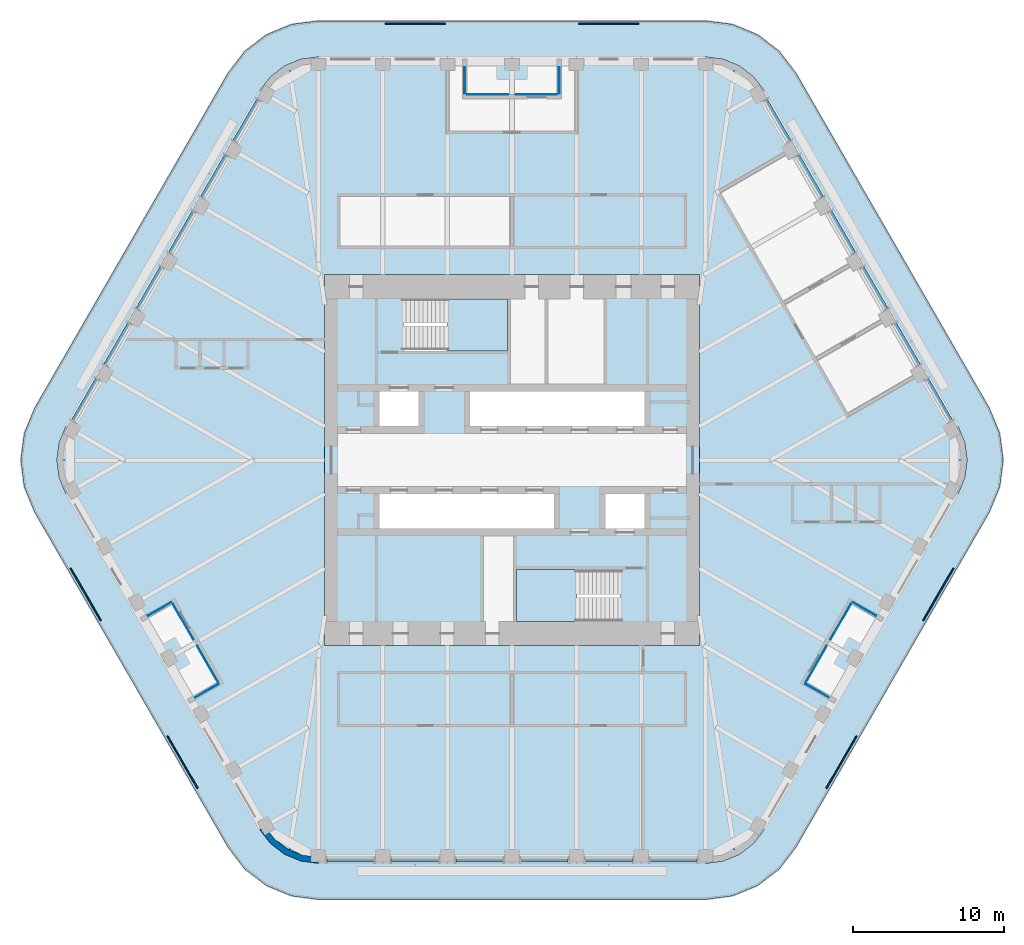
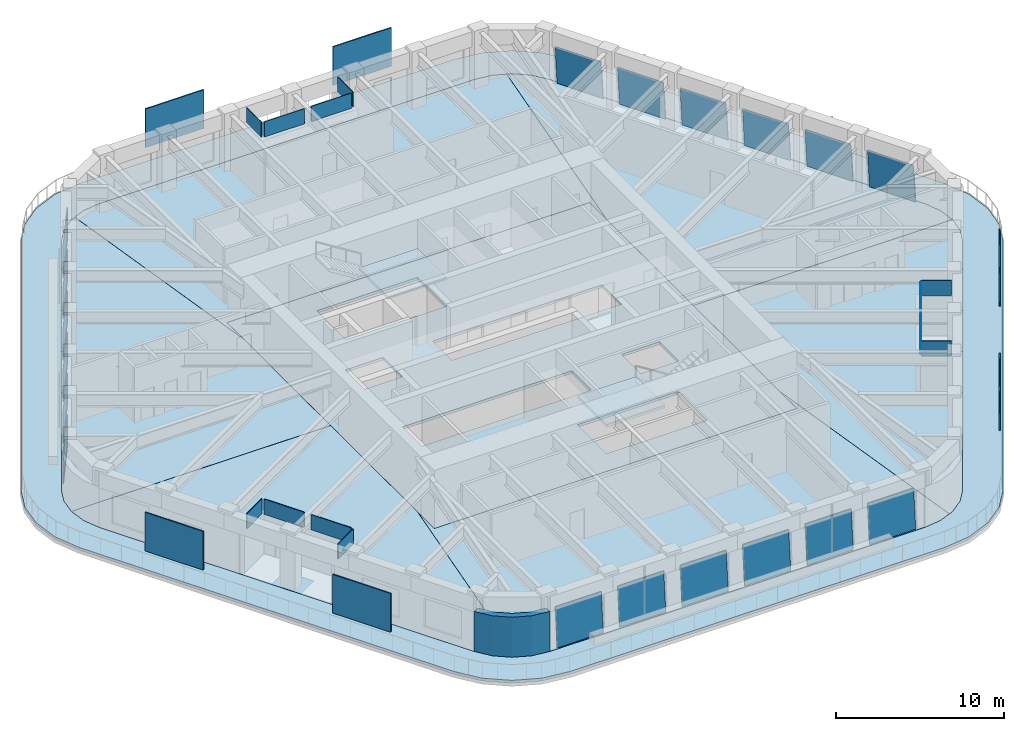
# One storey, part 12 of 19: 36 plates, 10 slabs, 1 wall, 20 elements without a shape of their own.
"""IFC4 building model written with IfcOpenShell, lengths in metres."""

import ifcopenshell
import ifcopenshell.guid

model = None  # the IFC model being written
_history = None  # IfcOwnerHistory: only IFC2X3 demands one
_inside = {}  # id of a spatial element -> (the spatial element, [elements in it])
_under = {}  # id of a project, library or spatial element -> (it, [spatial elements below it])
_declared = {}  # id of a project -> (the project, [libraries it declares])
_typed = {}  # id of a type object -> (the type object, [elements of that type])
_made_of = {}  # id of a material, layer set ... -> (it, [elements and type objects made of it])


def new_model(schema):
    """Start an empty IFC model of exactly this schema.

    Asked for "IFC4X3", IfcOpenShell would pick the latest addendum, in which some entities
    have other attributes; the version numbers below select the first issue.
    IFC2X3 requires an IfcOwnerHistory on every rooted entity: one is made here for all.
    """
    global model, _history
    if schema == "IFC4X3":
        model = ifcopenshell.file(schema_version=(4, 3, 0, 0))
    else:
        model = ifcopenshell.file(schema=schema)
    _inside.clear()
    _under.clear()
    _declared.clear()
    _typed.clear()
    _made_of.clear()
    _history = None
    if model.schema == "IFC2X3":
        org = make("IfcOrganization", Name="unknown")
        user = make(
            "IfcPersonAndOrganization",
            ThePerson=make("IfcPerson", FamilyName="unknown"),
            TheOrganization=org,
        )
        app = make(
            "IfcApplication",
            ApplicationDeveloper=org,
            Version="unknown",
            ApplicationFullName="unknown",
            ApplicationIdentifier="unknown",
        )
        _history = make(
            "IfcOwnerHistory",
            OwningUser=user,
            OwningApplication=app,
            ChangeAction="ADDED",
            CreationDate=0,
        )
    return model


def make(cls, **values):
    """One entity of the class cls with the attributes given. An attribute that is None is left unset."""
    return model.create_entity(
        cls, **{name: value for name, value in values.items() if value is not None}
    )


def rooted(cls, **values):
    """An entity with a GlobalId (a new one), such as an element, a storey or a relation."""
    return make(cls, GlobalId=ifcopenshell.guid.new(), OwnerHistory=_history, **values)


def si_unit(unit_type, name, prefix=None):
    """IfcSIUnit, for example si_unit("LENGTHUNIT", "METRE", prefix="MILLI")."""
    return make("IfcSIUnit", UnitType=unit_type, Prefix=prefix, Name=name)


def assignment(units):
    """IfcUnitAssignment: the units of a project."""
    return None if units is None else make("IfcUnitAssignment", Units=units)


def point(xyz):
    """IfcCartesianPoint."""
    return None if xyz is None else make("IfcCartesianPoint", Coordinates=xyz)


def direction(xyz):
    """IfcDirection."""
    return None if xyz is None else make("IfcDirection", DirectionRatios=xyz)


def frame(location, z_axis=None, x_axis=None):
    """IfcAxis2Placement3D, a coordinate frame: its origin and axes. An axis left out is left unset."""
    return make(
        "IfcAxis2Placement3D",
        Location=point(location),
        Axis=direction(z_axis),
        RefDirection=direction(x_axis),
    )


def frame_2d(location, x_axis=None):
    """IfcAxis2Placement2D, a coordinate frame in the plane: its origin and x axis."""
    return make(
        "IfcAxis2Placement2D", Location=point(location), RefDirection=direction(x_axis)
    )


def origin():
    """The frame at (0, 0, 0) with its axes left unset."""
    return frame((0.0, 0.0, 0.0))


def origin_2d():
    """The frame at (0, 0) in the plane with its x axis left unset."""
    return frame_2d((0.0, 0.0))


def place(relative_to, where):
    """IfcLocalPlacement: puts the frame where relative to a parent placement (None: the world)."""
    return make(
        "IfcLocalPlacement", PlacementRelTo=relative_to, RelativePlacement=where
    )


def context(
    kind, dimensions, precision=None, world=None, true_north=None, identifier=None
):
    """IfcGeometricRepresentationContext, for example the 3D "Model" context."""
    return make(
        "IfcGeometricRepresentationContext",
        ContextIdentifier=identifier,
        ContextType=kind,
        CoordinateSpaceDimension=dimensions,
        Precision=precision,
        WorldCoordinateSystem=world,
        TrueNorth=true_north,
    )


def subcontext(parent, identifier, kind, view, scale=None):
    """IfcGeometricRepresentationSubContext, for example "Body" below "Model"."""
    return make(
        "IfcGeometricRepresentationSubContext",
        ContextIdentifier=identifier,
        ContextType=kind,
        ParentContext=parent,
        TargetScale=scale,
        TargetView=view,
    )


def project(units=None, contexts=None):
    """IfcProject with its units and contexts."""
    return rooted(
        "IfcProject",
        Name="project",
        RepresentationContexts=contexts,
        UnitsInContext=assignment(units),
    )


def spatial(cls, under=None, at=None, **own):
    """A site, building, storey or space (cls), placed at a placement, below another one or the project."""
    s = rooted(cls, ObjectPlacement=at, **own)
    if under is not None:
        _under.setdefault(under.id(), (under, []))[1].append(s)
    return s


def polyline(points):
    """IfcPolyline through the points."""
    return make("IfcPolyline", Points=[point(p) for p in points])


def profile(cls, at=None, kind="AREA", **sizes):
    """A parametric profile (cls). Its sizes go by their IFC names, for example OverallWidth=200.0."""
    return make(cls, ProfileType=kind, Position=at, **sizes)


def rectangle(**sizes):
    """IfcRectangleProfileDef."""
    return profile("IfcRectangleProfileDef", **sizes)


def outline(outer, holes=None, kind="AREA"):
    """IfcArbitraryClosedProfileDef: a profile drawn as a closed curve; with holes, ...WithVoids."""
    if holes is None:
        return make("IfcArbitraryClosedProfileDef", ProfileType=kind, OuterCurve=outer)
    return make(
        "IfcArbitraryProfileDefWithVoids",
        ProfileType=kind,
        OuterCurve=outer,
        InnerCurves=holes,
    )


def extrude(swept, where, along, depth):
    """IfcExtrudedAreaSolid: the profile swept, set in the frame where, extruded along a direction by depth."""
    return make(
        "IfcExtrudedAreaSolid",
        SweptArea=swept,
        Position=where,
        ExtrudedDirection=direction(along),
        Depth=depth,
    )


def shape(context_of_items, identifier, shape_type, items):
    """IfcShapeRepresentation: the items that make up one representation, for example the "Body"."""
    return make(
        "IfcShapeRepresentation",
        ContextOfItems=context_of_items,
        RepresentationIdentifier=identifier,
        RepresentationType=shape_type,
        Items=items,
    )


def material(Name=None, Category=None):
    """IfcMaterial."""
    return make("IfcMaterial", Name=Name, Category=Category)


def layer(
    of_material, thickness, ventilated=None, Name=None, Category=None, Priority=None
):
    """IfcMaterialLayer: one layer of a wall or slab, of a material (None: an air gap)."""
    return make(
        "IfcMaterialLayer",
        Material=of_material,
        LayerThickness=thickness,
        IsVentilated=ventilated,
        Name=Name,
        Category=Category,
        Priority=Priority,
    )


def layer_set(layers, Name=None):
    """IfcMaterialLayerSet."""
    return make("IfcMaterialLayerSet", MaterialLayers=layers, LayerSetName=Name)


def made_of(thing, what):
    """Note that an element or type object is made of a material, layer set ...; save() writes the relation."""
    if what is not None:
        _made_of.setdefault(what.id(), (what, []))[1].append(thing)
    return thing


def type_object(cls, material=None, **own):
    """A type object (cls), such as IfcWallType, which elements share."""
    return made_of(rooted(cls, **own), material)


def element(
    cls,
    number,
    at=None,
    inside=None,
    cuts=None,
    type_object=None,
    material=None,
    context=None,
    identifier="Body",
    shape_type=None,
    held_by="IfcProductDefinitionShape",
    body=None,
    shapes=None,
    **own,
):
    """One element of the class cls, such as IfcWall. Its Tag is "e" and its number.

    at: its placement. inside: the storey or other place that contains it. cuts: it is an
    opening in that element (IfcRelVoidsElement). A single representation is given by context,
    identifier, shape_type and body (its items); several are given by shapes. held_by: the class
    of the entity that holds the representations. save() writes the other relations.
    """
    e = rooted(cls, Tag="e%d" % number, ObjectPlacement=at, **own)
    if body is not None:
        shapes = [shape(context, identifier, shape_type, body)]
    if shapes is not None:
        e.Representation = make(held_by, Representations=shapes)
    if inside is not None:
        _inside.setdefault(inside.id(), (inside, []))[1].append(e)
    if cuts is not None:
        rooted(
            "IfcRelVoidsElement", RelatingBuildingElement=cuts, RelatedOpeningElement=e
        )
    if type_object is not None:
        _typed.setdefault(type_object.id(), (type_object, []))[1].append(e)
    return made_of(e, material)


def aggregate(whole, parts):
    """IfcRelAggregates: a whole, such as a stair, and the parts it consists of."""
    return rooted("IfcRelAggregates", RelatingObject=whole, RelatedObjects=parts)


def save(model, path):
    """Write the relations noted so far, then the file.

    IfcRelAggregates (storeys below a building ...), IfcRelContainedInSpatialStructure (elements
    in a storey), IfcRelDefinesByType, IfcRelAssociatesMaterial and IfcRelDeclares: one each for
    every whole, place, type object, material and project.
    """
    for whole, parts in _under.values():
        aggregate(whole, parts)
    for where, things in _inside.values():
        rooted(
            "IfcRelContainedInSpatialStructure",
            RelatedElements=things,
            RelatingStructure=where,
        )
    for kind, things in _typed.values():
        rooted("IfcRelDefinesByType", RelatedObjects=things, RelatingType=kind)
    for what, things in _made_of.values():
        rooted("IfcRelAssociatesMaterial", RelatedObjects=things, RelatingMaterial=what)
    for by, libraries in _declared.values():
        rooted("IfcRelDeclares", RelatingContext=by, RelatedDefinitions=libraries)
    model.write(path)


model = new_model("IFC4")

# Units and contexts
model_context = context("Model", 3, precision=1e-05, world=origin(), true_north=direction((0.0, 1.0)))
body_context = subcontext(model_context, "Body", "Model", "MODEL_VIEW")
ifc_project = project(units=[si_unit("LENGTHUNIT", "METRE"), si_unit("AREAUNIT", "SQUARE_METRE"), si_unit("VOLUMEUNIT", "CUBIC_METRE"), si_unit("PLANEANGLEUNIT", "RADIAN"), si_unit("MASSUNIT", "GRAM", prefix="KILO")], contexts=[model_context])

# Site, building, storey
site_placement = place(None, origin())
site = spatial("IfcSite", under=ifc_project, at=site_placement, CompositionType="ELEMENT")
building_placement = place(site_placement, origin())
building = spatial("IfcBuilding", under=site, at=building_placement, Name="Tarfa Lantern Tower", CompositionType="ELEMENT")
storey_placement = place(building_placement, frame((0.0, 0.0, 340.89990234375)))
storey = spatial("IfcBuildingStorey", under=building, at=storey_placement, Name="L77", CompositionType="ELEMENT", Elevation=340.89990234375)

# Slab
ifc_material_1 = material(Name="Concrete C40/50", Category="concrete")
ifc_layer_1 = layer(ifc_material_1, 0.199951171875)
ifc_layer_set_1 = layer_set([ifc_layer_1], Name="BS2 BALCONY SLAB 200")
slab_type_1 = type_object("IfcSlabType", Name="BS2 BALCONY SLAB 200", PredefinedType="FLOOR", material=ifc_layer_set_1)
slab_1_placement = place(storey_placement, frame((0.0, 0.0, -0.199951171875)))
element("IfcSlab", 1, at=slab_1_placement, inside=storey, type_object=slab_type_1, Name="Balcony L77", PredefinedType="FLOOR", context=body_context, shape_type="SweptSolid", body=[
    extrude(outline(polyline([(31.667724609375, 3.449951171875), (18.821533203125, 25.699951171875), (17.72509765625, 27.129150390625), (16.296142578125, 28.2255859375), (14.6318359375, 28.914794921875), (12.845947265625, 29.14990234375), (-12.845947265625, 29.14990234375), (-14.6318359375, 28.914794921875), (-16.296142578125, 28.2255859375), (-17.72509765625, 27.129150390625), (-18.821533203125, 25.699951171875), (-31.667724609375, 3.449951171875), (-32.35693359375, 1.785888671875), (-32.592041015625, 0.0), (-32.35693359375, -1.785888671875), (-31.667724609375, -3.449951171875), (-18.821533203125, -25.699951171875), (-17.72509765625, -27.129150390625), (-16.296142578125, -28.2255859375), (-14.6318359375, -28.914794921875), (-12.845947265625, -29.14990234375), (12.845947265625, -29.14990234375), (14.6318359375, -28.914794921875), (16.296142578125, -28.2255859375), (17.72509765625, -27.129150390625), (18.821533203125, -25.699951171875), (31.667724609375, -3.449951171875), (32.35693359375, -1.785888671875), (32.592041015625, 0.0), (32.35693359375, 1.785888671875), (31.667724609375, 3.449951171875)]), holes=[polyline([(29.589111328125, 2.25), (16.7431640625, 24.5), (16.028076171875, 25.431884765625), (15.095947265625, 26.147216796875), (14.0107421875, 26.5966796875), (12.845947265625, 26.75), (-12.845947265625, 26.75), (-14.0107421875, 26.5966796875), (-15.095947265625, 26.147216796875), (-16.028076171875, 25.431884765625), (-16.7431640625, 24.5), (-29.589111328125, 2.25), (-30.038818359375, 1.164794921875), (-30.192138671875, 0.0), (-30.038818359375, -1.164794921875), (-29.589111328125, -2.25), (-16.7431640625, -24.5), (-16.028076171875, -25.431884765625), (-15.095947265625, -26.147216796875), (-14.0107421875, -26.5966796875), (-12.845947265625, -26.75), (12.845947265625, -26.75), (14.0107421875, -26.5966796875), (15.095947265625, -26.147216796875), (16.028076171875, -25.431884765625), (16.7431640625, -24.5), (29.589111328125, -2.25), (30.038818359375, -1.164794921875), (30.192138671875, 0.0), (30.038818359375, 1.164794921875), (29.589111328125, 2.25)])]), origin(), (0.0, 0.0, 1.0), 0.199951171875),
])

# Curtain wall, plate
ifc_material_2 = material(Name="Aluminium framed curtain wall", Category="aluminium")
curtain_wall_type = type_object("IfcCurtainWallType", Name="CW4 CANTED GLAZING EXECUTIVE ZONE 2900", PredefinedType="USERDEFINED", material=ifc_material_2)
curtain_wall_1_placement = place(storey_placement, origin())
curtain_wall_1 = element("IfcCurtainWall", 2, at=curtain_wall_1_placement, inside=storey, type_object=curtain_wall_type, Name="CW4 NE L77", ObjectType="CURTAIN WALL", PredefinedType="USERDEFINED")
ifc_material_3 = material(Name="Laminated double glazing", Category="glass")
ifc_layer_2 = layer(ifc_material_3, 0.028076171875)
ifc_layer_set_2 = layer_set([ifc_layer_2], Name="CWP1 DOUBLE GLAZED PANEL")
plate_type_1 = type_object("IfcPlateType", Name="CWP1 DOUBLE GLAZED PANEL", PredefinedType="CURTAIN_PANEL", material=ifc_layer_set_2)
plate_1_placement = place(storey_placement, frame((29.22021484375, 2.689208984375, 0.0), z_axis=(0.862805390852, 0.498190824018, 0.085864779633), x_axis=(-0.500037562771, 0.866003715822, 0.0)))
plate_1 = element("IfcPlate", 3, at=plate_1_placement, type_object=plate_type_1, Name="CW4 panel 1.1", PredefinedType="CURTAIN_PANEL", context=body_context, shape_type="SweptSolid", body=[
    extrude(outline(polyline([(0.0, 0.0), (3.1521069462545803, 0.0), (3.1522365138844113, 2.845714872445663), (0.00012956762983128145, 2.845714872445663), (0.0, 0.0)])), origin(), (0.0, 0.0, -1.0), 0.028076171875),
])
aggregate(curtain_wall_1, [plate_1])

curtain_wall_2_placement = place(storey_placement, origin())
curtain_wall_2 = element("IfcCurtainWall", 4, at=curtain_wall_2_placement, inside=storey, type_object=curtain_wall_type, Name="CW4 NE L77", ObjectType="CURTAIN WALL", PredefinedType="USERDEFINED")
plate_2_placement = place(storey_placement, frame((27.0791015625, 6.397705078125, 0.0), z_axis=(0.862835627287, 0.498131112972, 0.085907360411), x_axis=(-0.499979472441, 0.866037255052, 0.0)))
plate_2 = element("IfcPlate", 5, at=plate_2_placement, type_object=plate_type_1, Name="CW4 panel 1.1", PredefinedType="CURTAIN_PANEL", context=body_context, shape_type="SweptSolid", body=[
    extrude(outline(polyline([(0.0, 0.0), (3.1519848738624487, 1.3877787807814457e-17), (3.151886616495537, 2.845725356853875), (-9.82573669122272e-05, 2.845725356853875), (0.0, 0.0)])), origin(), (0.0, 0.0, -1.0), 0.028076171875),
])
aggregate(curtain_wall_2, [plate_2])

curtain_wall_3_placement = place(storey_placement, origin())
curtain_wall_3 = element("IfcCurtainWall", 6, at=curtain_wall_3_placement, inside=storey, type_object=curtain_wall_type, Name="CW4 NE L77", ObjectType="CURTAIN WALL", PredefinedType="USERDEFINED")
plate_3_placement = place(storey_placement, frame((24.93798828125, 10.10595703125, 0.0), z_axis=(0.862827570907, 0.498148738447, 0.085886071435), x_axis=(-0.499996118499, 0.866027644757, -1.656944e-06)))
plate_3 = element("IfcPlate", 7, at=plate_3_placement, type_object=plate_type_1, Name="CW4 panel 1.1", PredefinedType="CURTAIN_PANEL", context=body_context, shape_type="SweptSolid", body=[
    extrude(outline(polyline([(0.0, 0.0), (3.1519848732758735, 1.3877787807814457e-17), (3.151886617082094, 2.845725356204212), (0.00011317633667908362, 2.8457148724950585), (0.0, 0.0)])), origin(), (0.0, 0.0, -1.0), 0.028076171875),
])
aggregate(curtain_wall_3, [plate_3])

curtain_wall_4_placement = place(storey_placement, origin())
curtain_wall_4 = element("IfcCurtainWall", 8, at=curtain_wall_4_placement, inside=storey, type_object=curtain_wall_type, Name="CW4 NE L77", ObjectType="CURTAIN WALL", PredefinedType="USERDEFINED")
plate_4_placement = place(storey_placement, frame((22.797119140625, 13.814208984375, 0.0), z_axis=(0.862838806003, 0.498132948104, 0.085864782473), x_axis=(-0.499979472441, 0.866037255052, 0.0)))
plate_4 = element("IfcPlate", 9, at=plate_4_placement, type_object=plate_type_1, Name="CW4 panel 1.1", PredefinedType="CURTAIN_PANEL", context=body_context, shape_type="SweptSolid", body=[
    extrude(outline(polyline([(0.0, 0.0), (3.1519848738624487, -2.7755575615628914e-17), (3.1520980513722585, 2.8457148731447175), (0.00011317750980942287, 2.8457148731447175), (0.0, 0.0)])), origin(), (0.0, 0.0, -1.0), 0.028076171875),
])
aggregate(curtain_wall_4, [plate_4])

curtain_wall_5_placement = place(storey_placement, origin())
curtain_wall_5 = element("IfcCurtainWall", 10, at=curtain_wall_5_placement, inside=storey, type_object=curtain_wall_type, Name="CW4 NE L77", ObjectType="CURTAIN WALL", PredefinedType="USERDEFINED")
plate_5_placement = place(storey_placement, frame((20.656005859375, 17.522705078125, 0.0), z_axis=(0.862835627287, 0.498131112972, 0.085907360411), x_axis=(-0.499979472441, 0.866037255052, 0.0)))
plate_5 = element("IfcPlate", 11, at=plate_5_placement, type_object=plate_type_1, Name="CW4 panel 1.1", PredefinedType="CURTAIN_PANEL", context=body_context, shape_type="SweptSolid", body=[
    extrude(outline(polyline([(0.0, 0.0), (3.1519848738624487, 1.3877787807814457e-17), (3.151886616495537, 2.845725356853875), (-9.82573669122272e-05, 2.845725356853875), (0.0, 0.0)])), origin(), (0.0, 0.0, -1.0), 0.028076171875),
])
aggregate(curtain_wall_5, [plate_5])

curtain_wall_6_placement = place(storey_placement, origin())
curtain_wall_6 = element("IfcCurtainWall", 12, at=curtain_wall_6_placement, inside=storey, type_object=curtain_wall_type, Name="CW4 NE L77", ObjectType="CURTAIN WALL", PredefinedType="USERDEFINED")
plate_6_placement = place(storey_placement, frame((18.51513671875, 21.23095703125, 0.0), z_axis=(0.862794153774, 0.498206614799, 0.085886070957), x_axis=(-0.500054209474, 0.865994103666, -1.657072e-06)))
plate_6 = element("IfcPlate", 13, at=plate_6_placement, type_object=plate_type_1, Name="CW4 panel 1.1", PredefinedType="CURTAIN_PANEL", context=body_context, shape_type="SweptSolid", body=[
    extrude(outline(polyline([(0.0, 0.0), (3.1521069456678905, 2.7755575615628914e-17), (3.1520250877826523, 2.8457253567230087), (0.00012956645647684277, 2.845714871795859), (0.0, 0.0)])), origin(), (0.0, 0.0, -1.0), 0.028076171875),
])
aggregate(curtain_wall_6, [plate_6])

curtain_wall_7_placement = place(storey_placement, origin())
curtain_wall_7 = element("IfcCurtainWall", 14, at=curtain_wall_7_placement, inside=storey, type_object=curtain_wall_type, Name="CW4 NW L77", ObjectType="CURTAIN WALL", PredefinedType="USERDEFINED")
plate_7_placement = place(storey_placement, frame((-16.93896484375, 23.960693359375, 0.0), z_axis=(-0.862794153774, 0.498206614799, 0.085886070957), x_axis=(-0.500054209474, -0.865994103666, 1.657072e-06)))
plate_7 = element("IfcPlate", 15, at=plate_7_placement, type_object=plate_type_1, Name="CW4 panel 1.1", PredefinedType="CURTAIN_PANEL", context=body_context, shape_type="SweptSolid", body=[
    extrude(outline(polyline([(0.0, 0.0), (3.1521069456678905, -2.7755575615628914e-17), (3.151977379211414, 2.845714871795859), (8.185788523850941e-05, 2.8457253567230087), (0.0, 0.0)])), origin(), (0.0, 0.0, -1.0), 0.028076171875),
])
aggregate(curtain_wall_7, [plate_7])

curtain_wall_8_placement = place(storey_placement, origin())
curtain_wall_8 = element("IfcCurtainWall", 16, at=curtain_wall_8_placement, inside=storey, type_object=curtain_wall_type, Name="CW4 NW L77", ObjectType="CURTAIN WALL", PredefinedType="USERDEFINED")
plate_8_placement = place(storey_placement, frame((-19.080078125, 20.25244140625, 0.0), z_axis=(-0.862835627287, 0.498131112972, 0.085907360411), x_axis=(-0.499979472441, -0.866037255052, 0.0)))
plate_8 = element("IfcPlate", 17, at=plate_8_placement, type_object=plate_type_1, Name="CW4 panel 1.1", PredefinedType="CURTAIN_PANEL", context=body_context, shape_type="SweptSolid", body=[
    extrude(outline(polyline([(0.0, 0.0), (3.1519848738624487, -1.3877787807814457e-17), (3.1520831312293613, 2.845725356853875), (9.82573669122272e-05, 2.845725356853875), (0.0, 0.0)])), origin(), (0.0, 0.0, -1.0), 0.028076171875),
])
aggregate(curtain_wall_8, [plate_8])

curtain_wall_9_placement = place(storey_placement, origin())
curtain_wall_9 = element("IfcCurtainWall", 18, at=curtain_wall_9_placement, inside=storey, type_object=curtain_wall_type, Name="CW4 NW L77", ObjectType="CURTAIN WALL", PredefinedType="USERDEFINED")
plate_9_placement = place(storey_placement, frame((-21.22119140625, 16.5439453125, 0.0), z_axis=(-0.862838806003, 0.498132948104, 0.085864782473), x_axis=(-0.499979472441, -0.866037255052, 0.0)))
plate_9 = element("IfcPlate", 19, at=plate_9_placement, type_object=plate_type_1, Name="CW4 panel 1.1", PredefinedType="CURTAIN_PANEL", context=body_context, shape_type="SweptSolid", body=[
    extrude(outline(polyline([(0.0, 0.0), (3.1519848738624487, 2.7755575615628914e-17), (3.15187169635264, 2.8457148731447175), (-0.00011317750980942287, 2.8457148731447175), (0.0, 0.0)])), origin(), (0.0, 0.0, -1.0), 0.028076171875),
])
aggregate(curtain_wall_9, [plate_9])

curtain_wall_10_placement = place(storey_placement, origin())
curtain_wall_10 = element("IfcCurtainWall", 20, at=curtain_wall_10_placement, inside=storey, type_object=curtain_wall_type, Name="CW4 NW L77", ObjectType="CURTAIN WALL", PredefinedType="USERDEFINED")
plate_10_placement = place(storey_placement, frame((-23.362060546875, 12.835693359375, 0.0), z_axis=(-0.862827570907, 0.498148738447, 0.085886071435), x_axis=(-0.499996118499, -0.866027644757, 1.656944e-06)))
plate_10 = element("IfcPlate", 21, at=plate_10_placement, type_object=plate_type_1, Name="CW4 panel 1.1", PredefinedType="CURTAIN_PANEL", context=body_context, shape_type="SweptSolid", body=[
    extrude(outline(polyline([(0.0, 0.0), (3.1519848732758735, -1.3877787807814457e-17), (3.1518716969391942, 2.8457148724950585), (9.825619377914678e-05, 2.845725356204212), (0.0, 0.0)])), origin(), (0.0, 0.0, -1.0), 0.028076171875),
])
aggregate(curtain_wall_10, [plate_10])

curtain_wall_11_placement = place(storey_placement, origin())
curtain_wall_11 = element("IfcCurtainWall", 22, at=curtain_wall_11_placement, inside=storey, type_object=curtain_wall_type, Name="CW4 NW L77", ObjectType="CURTAIN WALL", PredefinedType="USERDEFINED")
plate_11_placement = place(storey_placement, frame((-25.503173828125, 9.12744140625, 0.0), z_axis=(-0.862835627287, 0.498131112972, 0.085907360411), x_axis=(-0.499979472441, -0.866037255052, 0.0)))
plate_11 = element("IfcPlate", 23, at=plate_11_placement, type_object=plate_type_1, Name="CW4 panel 1.1", PredefinedType="CURTAIN_PANEL", context=body_context, shape_type="SweptSolid", body=[
    extrude(outline(polyline([(0.0, 0.0), (3.1519848738624487, -1.3877787807814457e-17), (3.1520831312293613, 2.845725356853875), (9.82573669122272e-05, 2.845725356853875), (0.0, 0.0)])), origin(), (0.0, 0.0, -1.0), 0.028076171875),
])
aggregate(curtain_wall_11, [plate_11])

curtain_wall_12_placement = place(storey_placement, origin())
curtain_wall_12 = element("IfcCurtainWall", 24, at=curtain_wall_12_placement, inside=storey, type_object=curtain_wall_type, Name="CW4 NW L77", ObjectType="CURTAIN WALL", PredefinedType="USERDEFINED")
plate_12_placement = place(storey_placement, frame((-27.64404296875, 5.4189453125, 0.0), z_axis=(-0.862805390852, 0.498190824018, 0.085864779633), x_axis=(-0.500037562771, -0.866003715822, 0.0)))
plate_12 = element("IfcPlate", 25, at=plate_12_placement, type_object=plate_type_1, Name="CW4 panel 1.1", PredefinedType="CURTAIN_PANEL", context=body_context, shape_type="SweptSolid", body=[
    extrude(outline(polyline([(0.0, 0.0), (3.1521069462545803, 0.0), (3.151977378624749, 2.845714872445663), (-0.00012956762983128145, 2.845714872445663), (0.0, 0.0)])), origin(), (0.0, 0.0, -1.0), 0.028076171875),
])
aggregate(curtain_wall_12, [plate_12])

curtain_wall_13_placement = place(storey_placement, origin())
curtain_wall_13 = element("IfcCurtainWall", 26, at=curtain_wall_13_placement, inside=storey, type_object=curtain_wall_type, Name="CW4 S L77", ObjectType="CURTAIN WALL", PredefinedType="USERDEFINED")
plate_13_placement = place(storey_placement, frame((-12.281005859375, -26.64990234375, 0.0), z_axis=(0.0, -0.996305654944, 0.08587806429), x_axis=(1.0, 0.0, 0.0)))
plate_13 = element("IfcPlate", 27, at=plate_13_placement, type_object=plate_type_1, Name="CW4 panel 1.1", PredefinedType="CURTAIN_PANEL", context=body_context, shape_type="SweptSolid", body=[
    extrude(outline(polyline([(0.0, 0.0), (3.15185546875, 0.0), (3.15185546875, 2.845718142876306), (0.0, 2.845718142876306), (0.0, 0.0)])), origin(), (0.0, 0.0, -1.0), 0.028076171875),
])
aggregate(curtain_wall_13, [plate_13])

curtain_wall_14_placement = place(storey_placement, origin())
curtain_wall_14 = element("IfcCurtainWall", 28, at=curtain_wall_14_placement, inside=storey, type_object=curtain_wall_type, Name="CW4 S L77", ObjectType="CURTAIN WALL", PredefinedType="USERDEFINED")
plate_14_placement = place(storey_placement, frame((-7.9990234375, -26.64990234375, 0.0), z_axis=(0.0, -0.996305654944, 0.08587806429), x_axis=(1.0, 0.0, 0.0)))
plate_14 = element("IfcPlate", 29, at=plate_14_placement, type_object=plate_type_1, Name="CW4 panel 1.1", PredefinedType="CURTAIN_PANEL", context=body_context, shape_type="SweptSolid", body=[
    extrude(outline(polyline([(0.0, 0.0), (3.152099609375, 0.0), (3.152099609375, 2.845718142876306), (0.0, 2.845718142876306), (0.0, 0.0)])), origin(), (0.0, 0.0, -1.0), 0.028076171875),
])
aggregate(curtain_wall_14, [plate_14])

curtain_wall_15_placement = place(storey_placement, origin())
curtain_wall_15 = element("IfcCurtainWall", 30, at=curtain_wall_15_placement, inside=storey, type_object=curtain_wall_type, Name="CW4 S L77", ObjectType="CURTAIN WALL", PredefinedType="USERDEFINED")
plate_15_placement = place(storey_placement, frame((-3.717041015625, -26.64990234375, 0.0), z_axis=(0.0, -0.996305654944, 0.08587806429), x_axis=(1.0, 0.0, 0.0)))
plate_15 = element("IfcPlate", 31, at=plate_15_placement, type_object=plate_type_1, Name="CW4 panel 1.1", PredefinedType="CURTAIN_PANEL", context=body_context, shape_type="SweptSolid", body=[
    extrude(outline(polyline([(0.0, 0.0), (3.152099609375, 0.0), (3.152099609375, 2.845718142876306), (0.0, 2.845718142876306), (0.0, 0.0)])), origin(), (0.0, 0.0, -1.0), 0.028076171875),
])
aggregate(curtain_wall_15, [plate_15])

curtain_wall_16_placement = place(storey_placement, origin())
curtain_wall_16 = element("IfcCurtainWall", 32, at=curtain_wall_16_placement, inside=storey, type_object=curtain_wall_type, Name="CW4 S L77", ObjectType="CURTAIN WALL", PredefinedType="USERDEFINED")
plate_16_placement = place(storey_placement, frame((0.56494140625, -26.64990234375, 0.0), z_axis=(0.0, -0.996305654944, 0.08587806429), x_axis=(1.0, 0.0, 0.0)))
plate_16 = element("IfcPlate", 33, at=plate_16_placement, type_object=plate_type_1, Name="CW4 panel 1.1", PredefinedType="CURTAIN_PANEL", context=body_context, shape_type="SweptSolid", body=[
    extrude(outline(polyline([(0.0, 0.0), (3.152099609375, 0.0), (3.152099609375, 2.845718142876306), (0.0, 2.845718142876306), (0.0, 0.0)])), origin(), (0.0, 0.0, -1.0), 0.028076171875),
])
aggregate(curtain_wall_16, [plate_16])

curtain_wall_17_placement = place(storey_placement, origin())
curtain_wall_17 = element("IfcCurtainWall", 34, at=curtain_wall_17_placement, inside=storey, type_object=curtain_wall_type, Name="CW4 S L77", ObjectType="CURTAIN WALL", PredefinedType="USERDEFINED")
plate_17_placement = place(storey_placement, frame((4.846923828125, -26.64990234375, 0.0), z_axis=(0.0, -0.996305654944, 0.08587806429), x_axis=(1.0, 0.0, 0.0)))
plate_17 = element("IfcPlate", 35, at=plate_17_placement, type_object=plate_type_1, Name="CW4 panel 1.1", PredefinedType="CURTAIN_PANEL", context=body_context, shape_type="SweptSolid", body=[
    extrude(outline(polyline([(0.0, 0.0), (3.152099609375, 0.0), (3.152099609375, 2.845718142876306), (0.0, 2.845718142876306), (0.0, 0.0)])), origin(), (0.0, 0.0, -1.0), 0.028076171875),
])
aggregate(curtain_wall_17, [plate_17])

curtain_wall_18_placement = place(storey_placement, origin())
curtain_wall_18 = element("IfcCurtainWall", 36, at=curtain_wall_18_placement, inside=storey, type_object=curtain_wall_type, Name="CW4 S L77", ObjectType="CURTAIN WALL", PredefinedType="USERDEFINED")
plate_18_placement = place(storey_placement, frame((9.129150390625, -26.64990234375, 0.0), z_axis=(0.0, -0.996305654944, 0.08587806429), x_axis=(1.0, 0.0, 0.0)))
plate_18 = element("IfcPlate", 37, at=plate_18_placement, type_object=plate_type_1, Name="CW4 panel 1.1", PredefinedType="CURTAIN_PANEL", context=body_context, shape_type="SweptSolid", body=[
    extrude(outline(polyline([(0.0, 0.0), (3.15185546875, 0.0), (3.15185546875, 2.845718142876306), (0.0, 2.845718142876306), (0.0, 0.0)])), origin(), (0.0, 0.0, -1.0), 0.028076171875),
])
aggregate(curtain_wall_18, [plate_18])

# Slabs
ifc_layer_3 = layer(ifc_material_1, 0.199951171875)
ifc_layer_set_3 = layer_set([ifc_layer_3], Name="FS1 FLOOR SLAB 200")
slab_type_2 = type_object("IfcSlabType", Name="FS1 FLOOR SLAB 200", PredefinedType="FLOOR", material=ifc_layer_set_3)
slab_2_placement = place(storey_placement, frame((0.0, 0.0, -0.199951171875)))
element("IfcSlab", 38, at=slab_2_placement, inside=storey, type_object=slab_type_2, Name="Floor slab L77", PredefinedType="FLOOR", context=body_context, shape_type="SweptSolid", body=[
    extrude(outline(polyline([(-12.425048828125, -12.300048828125), (12.425048828125, -12.300048828125), (12.425048828125, 12.300048828125), (-12.425048828125, 12.300048828125), (-12.425048828125, -12.300048828125)]), holes=[polyline([(-8.800048828125, 2.25), (-6.199951171875, 2.25), (-6.199951171875, 4.550048828125), (-8.800048828125, 4.550048828125), (-8.800048828125, 2.25)]), polyline([(-2.800048828125, 2.25), (8.800048828125, 2.25), (8.800048828125, 4.550048828125), (-2.800048828125, 4.550048828125), (-2.800048828125, 2.25)]), polyline([(8.800048828125, -2.25), (6.199951171875, -2.25), (6.199951171875, -4.550048828125), (8.800048828125, -4.550048828125), (8.800048828125, -2.25)]), polyline([(2.800048828125, -2.25), (-8.800048828125, -2.25), (-8.800048828125, -4.550048828125), (2.800048828125, -4.550048828125), (2.800048828125, -2.25)]), polyline([(-7.199951171875, 7.25), (-0.300048828125, 7.25), (-0.300048828125, 10.699951171875), (-7.199951171875, 10.699951171875), (-7.199951171875, 7.25)]), polyline([(7.199951171875, -7.25), (0.300048828125, -7.25), (0.300048828125, -10.699951171875), (7.199951171875, -10.699951171875), (7.199951171875, -7.25)])]), origin(), (0.0, 0.0, 1.0), 0.199951171875),
])
slab_3_placement = place(storey_placement, frame((0.0, 0.0, -0.199951171875)))
element("IfcSlab", 39, at=slab_3_placement, inside=storey, type_object=slab_type_2, Name="Floor slab L77 NE bay", PredefinedType="FLOOR", context=body_context, shape_type="SweptSolid", body=[
    extrude(outline(polyline([(29.58740234375, 2.2490234375), (16.741455078125, 24.498779296875), (16.026611328125, 25.4306640625), (15.094970703125, 26.145263671875), (14.802001953125, 26.2666015625), (12.427001953125, 10.2998046875), (12.427001953125, 0.001953125), (30.189697265625, 0.001953125), (30.036865234375, 1.1640625), (29.58740234375, 2.2490234375)])), origin(), (0.0, 0.0, 1.0), 0.199951171875),
])
slab_4_placement = place(storey_placement, frame((0.0, 0.0, -0.199951171875)))
element("IfcSlab", 40, at=slab_4_placement, inside=storey, type_object=slab_type_2, Name="Floor slab L77 N bay", PredefinedType="FLOOR", context=body_context, shape_type="SweptSolid", body=[
    extrude(outline(polyline([(-12.427001953125, 10.3271484375), (-12.427001953125, 12.302001953125), (12.427001953125, 12.302001953125), (12.427001953125, 10.3271484375), (14.79833984375, 26.268310546875), (14.01025390625, 26.5947265625), (12.845947265625, 26.748046875), (-12.845947265625, 26.748046875), (-14.01025390625, 26.5947265625), (-14.79833984375, 26.268310546875), (-12.427001953125, 10.3271484375)])), origin(), (0.0, 0.0, 1.0), 0.199951171875),
])
slab_5_placement = place(storey_placement, frame((0.0, 0.0, -0.199951171875)))
element("IfcSlab", 41, at=slab_5_placement, inside=storey, type_object=slab_type_2, Name="Floor slab L77 NW bay", PredefinedType="FLOOR", context=body_context, shape_type="SweptSolid", body=[
    extrude(outline(polyline([(-12.427001953125, 0.001953125), (-12.427001953125, 10.2998046875), (-14.802001953125, 26.2666015625), (-15.094970703125, 26.145263671875), (-16.026611328125, 25.4306640625), (-16.741455078125, 24.498779296875), (-29.58740234375, 2.2490234375), (-30.036865234375, 1.1640625), (-30.189697265625, 0.001953125), (-12.427001953125, 0.001953125)])), origin(), (0.0, 0.0, 1.0), 0.199951171875),
])
slab_6_placement = place(storey_placement, frame((0.0, 0.0, -0.199951171875)))
element("IfcSlab", 42, at=slab_6_placement, inside=storey, type_object=slab_type_2, Name="Floor slab L77 SW bay", PredefinedType="FLOOR", context=body_context, shape_type="SweptSolid", body=[
    extrude(outline(polyline([(-12.427001953125, -10.2998046875), (-12.427001953125, -0.001953125), (-30.189697265625, -0.001953125), (-30.036865234375, -1.1640625), (-29.58740234375, -2.2490234375), (-16.741455078125, -24.498779296875), (-16.026611328125, -25.4306640625), (-15.094970703125, -26.145263671875), (-14.802001953125, -26.2666015625), (-12.427001953125, -10.2998046875)])), origin(), (0.0, 0.0, 1.0), 0.199951171875),
])
slab_7_placement = place(storey_placement, frame((0.0, 0.0, -0.199951171875)))
element("IfcSlab", 43, at=slab_7_placement, inside=storey, type_object=slab_type_2, Name="Floor slab L77 S bay", PredefinedType="FLOOR", context=body_context, shape_type="SweptSolid", body=[
    extrude(outline(polyline([(12.427001953125, -10.3271484375), (12.427001953125, -12.302001953125), (-12.427001953125, -12.302001953125), (-12.427001953125, -10.3271484375), (-14.79833984375, -26.268310546875), (-14.01025390625, -26.5947265625), (-12.845947265625, -26.748046875), (12.845947265625, -26.748046875), (14.01025390625, -26.5947265625), (14.79833984375, -26.268310546875), (12.427001953125, -10.3271484375)])), origin(), (0.0, 0.0, 1.0), 0.199951171875),
])
slab_8_placement = place(storey_placement, frame((0.0, 0.0, -0.199951171875)))
element("IfcSlab", 44, at=slab_8_placement, inside=storey, type_object=slab_type_2, Name="Floor slab L77 SE bay", PredefinedType="FLOOR", context=body_context, shape_type="SweptSolid", body=[
    extrude(outline(polyline([(12.427001953125, -0.001953125), (12.427001953125, -10.2998046875), (14.802001953125, -26.2666015625), (15.094970703125, -26.145263671875), (16.026611328125, -25.4306640625), (16.741455078125, -24.498779296875), (29.58740234375, -2.2490234375), (30.036865234375, -1.1640625), (30.189697265625, -0.001953125), (12.427001953125, -0.001953125)])), origin(), (0.0, 0.0, 1.0), 0.199951171875),
])

# Plates
ifc_material_4 = material(Name="Aluminium fascia panel", Category="aluminium")
ifc_layer_4 = layer(ifc_material_4, 0.050048828125)
ifc_layer_set_4 = layer_set([ifc_layer_4], Name="LF1 LOGGIA HEAD FASCIA 50")
plate_type_2 = type_object("IfcPlateType", Name="LF1 LOGGIA HEAD FASCIA 50", PredefinedType="USERDEFINED", material=ifc_layer_set_4)
for number, where, z_axis, x_axis, name in (
    (45, (1.615966796875, 24.25, 2.900146484375), (0.0, 0.0, 1.0), (-1.0, 0.0, 0.0), "Terrace head fascia N"),
    (46, (-1.615966796875, 24.25, 2.900146484375), (0.0, 0.0, 1.0), (-1.0, 0.0, 0.0), "Terrace head fascia N"),
):
    element("IfcPlate", number, at=place(storey_placement, frame(where, z_axis=z_axis, x_axis=x_axis)), inside=storey, type_object=plate_type_2, Name=name, ObjectType="FASCIA", PredefinedType="USERDEFINED", context=body_context, shape_type="SweptSolid", body=[
        extrude(rectangle(XDim=2.73193359375, YDim=0.050048828125, at=origin_2d()), origin(), (0.0, 0.0, 1.0), 1.10009765625),
    ])
for number, where, z_axis, x_axis, name in (
    (47, (3.132080078125, 25.18505859375, 2.900146484375), (0.0, 0.0, 1.0), (0.0, -1.0, 0.0), "Terrace head fascia N"),
    (48, (-3.132080078125, 25.18505859375, 2.900146484375), (0.0, 0.0, 1.0), (0.0, -1.0, 0.0), "Terrace head fascia N"),
):
    element("IfcPlate", number, at=place(storey_placement, frame(where, z_axis=z_axis, x_axis=x_axis)), inside=storey, type_object=plate_type_2, Name=name, ObjectType="FASCIA", PredefinedType="USERDEFINED", context=body_context, shape_type="SweptSolid", body=[
        extrude(rectangle(XDim=1.77001953125, YDim=0.050048828125, at=origin_2d()), origin(), (0.0, 0.0, 1.0), 1.10009765625),
    ])
for number, where, z_axis, x_axis, name in (
    (49, (-21.80908203125, -10.7255859375, 2.900146484375), (0.0, 0.0, 1.0), (0.5, -0.866025403784, 0.0), "Terrace head fascia SW"),
    (50, (-20.193115234375, -13.5244140625, 2.900146484375), (0.0, 0.0, 1.0), (0.5, -0.866025403784, 0.0), "Terrace head fascia SW"),
):
    element("IfcPlate", number, at=place(storey_placement, frame(where, z_axis=z_axis, x_axis=x_axis)), inside=storey, type_object=plate_type_2, Name=name, ObjectType="FASCIA", PredefinedType="USERDEFINED", context=body_context, shape_type="SweptSolid", body=[
        extrude(rectangle(XDim=2.73193359375, YDim=0.050048828125, at=origin_2d()), origin(), (0.0, 0.0, 1.0), 1.10009765625),
    ])
for number, where, z_axis, x_axis, name in (
    (51, (-23.376953125, -9.880126953125, 2.900146484375), (0.0, 0.0, 1.0), (0.866025403784, 0.5, 0.0), "Terrace head fascia SW"),
    (52, (-20.244873046875, -15.304931640625, 2.900146484375), (0.0, 0.0, 1.0), (0.866025403784, 0.5, 0.0), "Terrace head fascia SW"),
):
    element("IfcPlate", number, at=place(storey_placement, frame(where, z_axis=z_axis, x_axis=x_axis)), inside=storey, type_object=plate_type_2, Name=name, ObjectType="FASCIA", PredefinedType="USERDEFINED", context=body_context, shape_type="SweptSolid", body=[
        extrude(rectangle(XDim=1.77001953125, YDim=0.050048828125, at=origin_2d()), origin(), (0.0, 0.0, 1.0), 1.10009765625),
    ])
for number, where, z_axis, x_axis, name in (
    (53, (20.193115234375, -13.5244140625, 2.900146484375), (0.0, 0.0, 1.0), (0.5, 0.866025403784, 0.0), "Terrace head fascia SE"),
    (54, (21.80908203125, -10.7255859375, 2.900146484375), (0.0, 0.0, 1.0), (0.5, 0.866025403784, 0.0), "Terrace head fascia SE"),
):
    element("IfcPlate", number, at=place(storey_placement, frame(where, z_axis=z_axis, x_axis=x_axis)), inside=storey, type_object=plate_type_2, Name=name, ObjectType="FASCIA", PredefinedType="USERDEFINED", context=body_context, shape_type="SweptSolid", body=[
        extrude(rectangle(XDim=2.73193359375, YDim=0.050048828125, at=origin_2d()), origin(), (0.0, 0.0, 1.0), 1.10009765625),
    ])
for number, where, z_axis, x_axis, name in (
    (55, (20.244873046875, -15.304931640625, 2.900146484375), (0.0, 0.0, 1.0), (-0.866025403784, 0.5, 0.0), "Terrace head fascia SE"),
    (56, (23.376953125, -9.880126953125, 2.900146484375), (0.0, 0.0, 1.0), (-0.866025403784, 0.5, 0.0), "Terrace head fascia SE"),
):
    element("IfcPlate", number, at=place(storey_placement, frame(where, z_axis=z_axis, x_axis=x_axis)), inside=storey, type_object=plate_type_2, Name=name, ObjectType="FASCIA", PredefinedType="USERDEFINED", context=body_context, shape_type="SweptSolid", body=[
        extrude(rectangle(XDim=1.77001953125, YDim=0.050048828125, at=origin_2d()), origin(), (0.0, 0.0, 1.0), 1.10009765625),
    ])
ifc_material_5 = material(Name="Perforated limestone screen", Category="masonry")
ifc_layer_5 = layer(ifc_material_5, 0.080078125)
ifc_layer_set_5 = layer_set([ifc_layer_5], Name="SC1 STONE SCREEN 80")
plate_type_3 = type_object("IfcPlateType", Name="SC1 STONE SCREEN 80", PredefinedType="USERDEFINED", material=ifc_layer_set_5)
for number, where, z_axis, x_axis, name in (
    (57, (6.423095703125, 28.949951171875, 1.2001953125), (0.0, 0.0, 1.0), (-1.0, 0.0, 0.0), "Stone screen N 1"),
    (58, (-6.423095703125, 28.949951171875, 1.2001953125), (0.0, 0.0, 1.0), (-1.0, 0.0, 0.0), "Stone screen N 2"),
    (59, (-28.282958984375, -8.91259765625, 1.2001953125), (0.0, 0.0, 1.0), (0.5, -0.866025403784, 0.0), "Stone screen SW 1"),
    (60, (-21.85986328125, -20.03759765625, 1.2001953125), (0.0, 0.0, 1.0), (0.5, -0.866025403784, 0.0), "Stone screen SW 2"),
    (61, (21.85986328125, -20.03759765625, 1.2001953125), (0.0, 0.0, 1.0), (0.5, 0.866025403784, 0.0), "Stone screen SE 1"),
    (62, (28.282958984375, -8.91259765625, 1.2001953125), (0.0, 0.0, 1.0), (0.5, 0.866025403784, 0.0), "Stone screen SE 2"),
):
    element("IfcPlate", number, at=place(storey_placement, frame(where, z_axis=z_axis, x_axis=x_axis)), inside=storey, type_object=plate_type_3, Name=name, ObjectType="SCREEN", PredefinedType="USERDEFINED", context=body_context, shape_type="SweptSolid", body=[
        extrude(rectangle(XDim=4.0, YDim=0.080078125, at=origin_2d()), origin(), (0.0, 0.0, 1.0), 2.800048828125),
    ])

# Stair, slab
stair_type = type_object("IfcStairType", Name="ST-T10 HALF-TURN STAIR 4200 RISE", PredefinedType="HALF_TURN_STAIR", material=ifc_material_1)
stair_1_placement = place(storey_placement, origin())
stair_1 = element("IfcStair", 63, at=stair_1_placement, inside=storey, type_object=stair_type, Name="Stair ST1", PredefinedType="HALF_TURN_STAIR")
ifc_layer_6 = layer(ifc_material_1, 0.199951171875)
ifc_layer_set_6 = layer_set([ifc_layer_6], Name="SL1 STAIR LANDING 200")
slab_type_3 = type_object("IfcSlabType", Name="SL1 STAIR LANDING 200", PredefinedType="LANDING", material=ifc_layer_set_6)
slab_9_placement = place(storey_placement, frame((0.0, 0.0, 1.900146484375)))
slab_9 = element("IfcSlab", 64, at=slab_9_placement, type_object=slab_type_3, Name="ST1 landing 1", PredefinedType="LANDING", context=body_context, shape_type="SweptSolid", body=[
    extrude(outline(polyline([(-4.320068359375, 7.25), (-0.300048828125, 7.25), (-0.300048828125, 10.699951171875), (-4.320068359375, 10.699951171875), (-4.320068359375, 7.25)])), origin(), (0.0, 0.0, 1.0), 0.199951171875),
])
aggregate(stair_1, [slab_9])

stair_2_placement = place(storey_placement, origin())
stair_2 = element("IfcStair", 65, at=stair_2_placement, inside=storey, type_object=stair_type, Name="Stair ST2", PredefinedType="HALF_TURN_STAIR")
slab_10_placement = place(storey_placement, frame((0.0, 0.0, 1.900146484375)))
slab_10 = element("IfcSlab", 66, at=slab_10_placement, type_object=slab_type_3, Name="ST2 landing 1", PredefinedType="LANDING", context=body_context, shape_type="SweptSolid", body=[
    extrude(outline(polyline([(4.320068359375, -7.25), (0.300048828125, -7.25), (0.300048828125, -10.699951171875), (4.320068359375, -10.699951171875), (4.320068359375, -7.25)])), origin(), (0.0, 0.0, 1.0), 0.199951171875),
])
aggregate(stair_2, [slab_10])

# Wall
ifc_material_6 = material(Name="Limestone cladding on blockwork", Category="masonry")
ifc_layer_7 = layer(ifc_material_6, 0.39990234375)
ifc_layer_set_7 = layer_set([ifc_layer_7], Name="EW2 CURVED STONE CORNER 400")
wall_type = type_object("IfcWallType", Name="EW2 CURVED STONE CORNER 400", PredefinedType="SOLIDWALL", material=ifc_layer_set_7)
wall_placement = place(storey_placement, origin())
element("IfcWall", 67, at=wall_placement, inside=storey, type_object=wall_type, Name="Stone corner SW-S", PredefinedType="SOLIDWALL", context=body_context, shape_type="SweptSolid", body=[
    extrude(outline(polyline([(-16.7431640625, -24.5), (-16.028076171875, -25.431884765625), (-15.095947265625, -26.147216796875), (-14.0107421875, -26.5966796875), (-12.845947265625, -26.75), (-12.845947265625, -26.35009765625), (-13.9072265625, -26.210205078125), (-14.89599609375, -25.80078125), (-15.7451171875, -25.149169921875), (-16.396728515625, -24.300048828125), (-16.7431640625, -24.5)])), origin(), (0.0, 0.0, 1.0), 2.900146484375),
])

save(model, "model.ifc")
